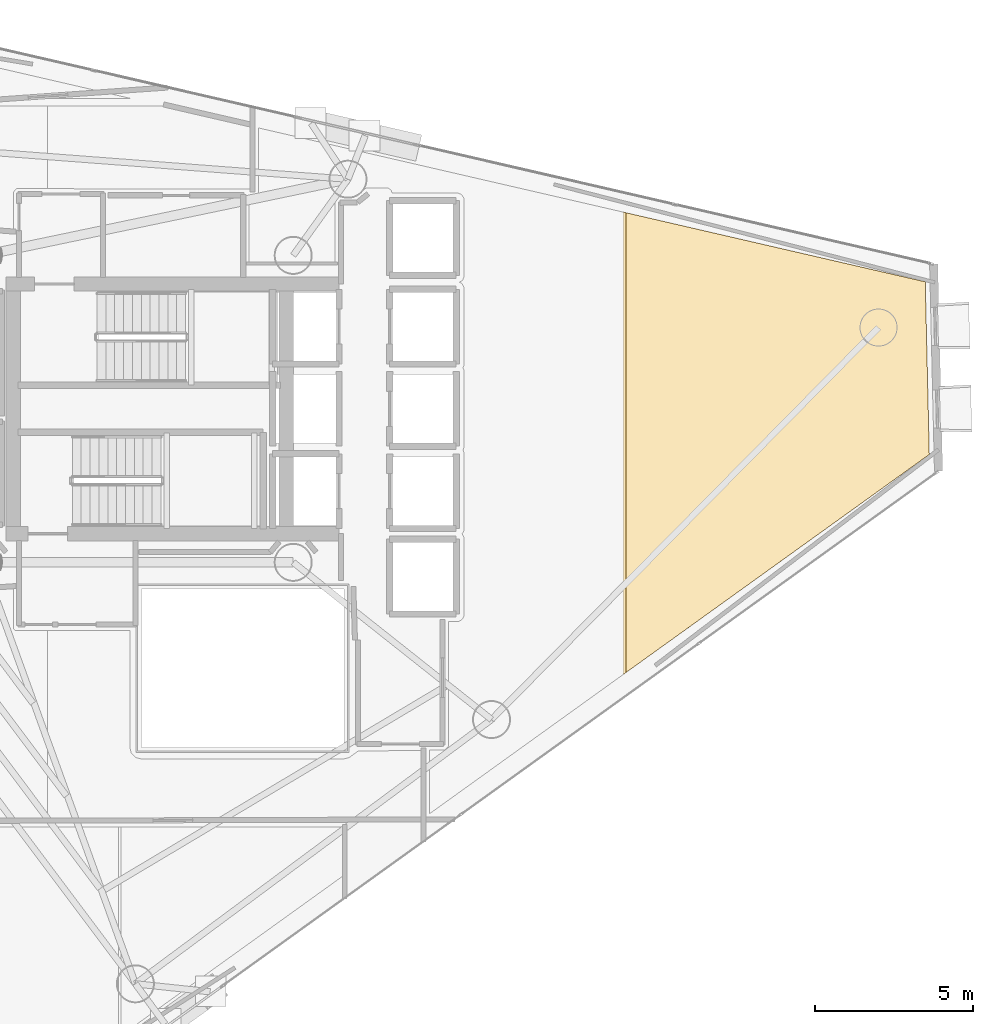
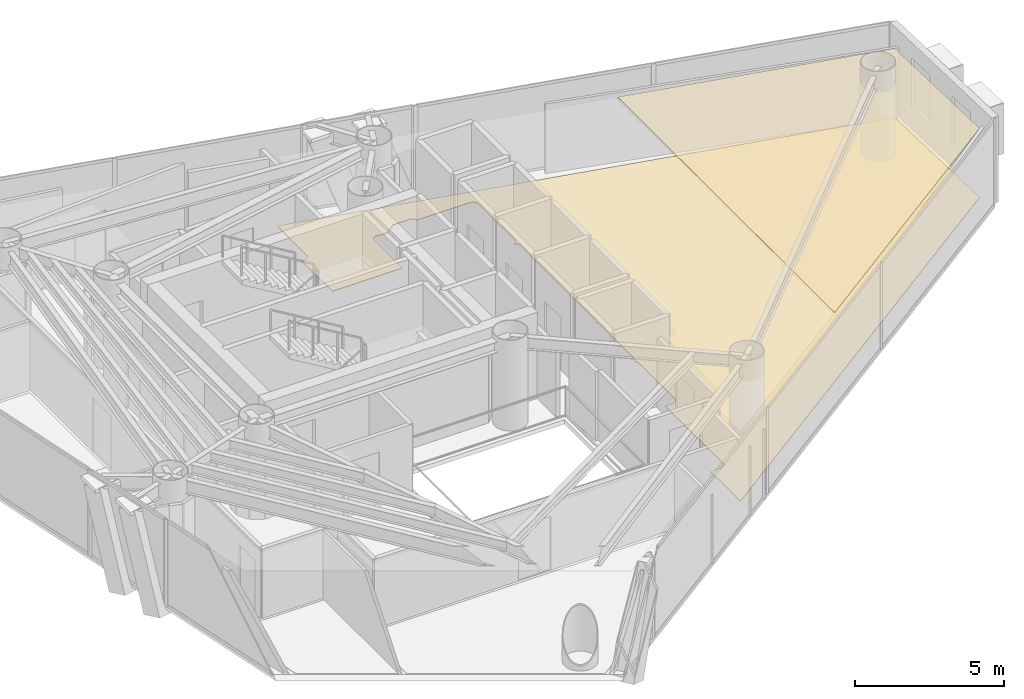
# One storey, part 22 of 22: 2 coverings.
"""IFC4 building model written with IfcOpenShell, lengths in metres."""

from ifc_helpers import new_model, si_unit, direction, frame, origin, place, context, subcontext, project, spatial, polyline, outline, extrude, material, layer, layer_set, type_object, element, save


model = new_model("IFC4")

# Units and contexts
model_context = context("Model", 3, precision=1e-05, world=origin(), true_north=direction((0.0, 1.0)))
body_context = subcontext(model_context, "Body", "Model", "MODEL_VIEW")
ifc_project = project(units=[si_unit("LENGTHUNIT", "METRE"), si_unit("AREAUNIT", "SQUARE_METRE"), si_unit("VOLUMEUNIT", "CUBIC_METRE"), si_unit("PLANEANGLEUNIT", "RADIAN"), si_unit("MASSUNIT", "GRAM", prefix="KILO")], contexts=[model_context])

# Site, building, storey
site_placement = place(None, origin())
site = spatial("IfcSite", under=ifc_project, at=site_placement, CompositionType="ELEMENT")
building_placement = place(site_placement, origin())
building = spatial("IfcBuilding", under=site, at=building_placement, Name="Qianvela Tower", CompositionType="ELEMENT")
storey_placement = place(building_placement, frame((0.0, 0.0, 196.60009765625)))
storey = spatial("IfcBuildingStorey", under=building, at=storey_placement, Name="L50", CompositionType="ELEMENT", Elevation=196.60009765625)

# Coverings
ifc_material_1 = material(Name="Perforated Mineral Acoustic Ceiling Tile")
ifc_layer_1 = layer(ifc_material_1, 0.02490234375)
ifc_layer_set_1 = layer_set([ifc_layer_1], Name="Perforated Mineral Acoustic Ceiling Tile")
covering_type_1 = type_object("IfcCoveringType", Name="COV-CEIL-ACOUSTIC-25", PredefinedType="CEILING", material=ifc_layer_set_1)
covering_1_placement = place(storey_placement, frame((0.0, 0.0, 2.81494140625)))
element("IfcCovering", 1, at=covering_1_placement, inside=storey, type_object=covering_type_1, Name="L50 Acoustic Ceiling Bay 2 Collaborative Co-working Office L50-02", PredefinedType="CEILING", context=body_context, shape_type="SweptSolid", body=[
    extrude(outline(polyline([(58.373779296875, 32.71533203125), (58.5009765625, 27.259033203125), (48.924560546875, 20.37451171875), (48.924560546875, 34.8955078125), (58.373779296875, 32.71533203125)])), origin(), (0.0, 0.0, 1.0), 0.02490234375),
])
ifc_material_2 = material(Name="Engineered Acoustic Oak Timber Flooring", Category="wood")
ifc_layer_2 = layer(ifc_material_2, 0.02001953125)
ifc_layer_set_2 = layer_set([ifc_layer_2], Name="Engineered Acoustic Oak Timber Flooring")
covering_type_2 = type_object("IfcCoveringType", Name="COV-FLOOR-OAK-20", PredefinedType="FLOORING", material=ifc_layer_set_2)
covering_2_placement = place(storey_placement, origin())
element("IfcCovering", 2, at=covering_2_placement, inside=storey, type_object=covering_type_2, Name="L50 Finish Flooring Collaborative Co-working Office L50-02", PredefinedType="FLOORING", context=body_context, shape_type="SweptSolid", body=[
    extrude(outline(polyline([(42.709716796875, 15.906494140625), (42.70751953125, 17.920166015625), (43.157958984375, 17.92041015625), (43.165771484375, 17.9208984375), (43.173583984375, 17.921875), (43.18115234375, 17.923828125), (43.1884765625, 17.926513671875), (43.195556640625, 17.9296875), (43.202392578125, 17.933837890625), (43.20849609375, 17.9384765625), (43.21435546875, 17.94384765625), (43.2861328125, 18.015625), (43.29150390625, 18.021484375), (43.296142578125, 18.027587890625), (43.30029296875, 18.034423828125), (43.303466796875, 18.04150390625), (43.30615234375, 18.048828125), (43.30810546875, 18.056640625), (43.30908203125, 18.064208984375), (43.3095703125, 18.072265625), (43.309326171875, 21.980712890625), (43.60791015625, 21.982666015625), (43.615478515625, 21.983154296875), (43.623291015625, 21.984375), (43.630859375, 21.986083984375), (43.637939453125, 21.98876953125), (43.64501953125, 21.9921875), (43.716796875, 22.030517578125), (43.723388671875, 22.034423828125), (43.729736328125, 22.039306640625), (43.735595703125, 22.04443359375), (43.74072265625, 22.05029296875), (43.74560546875, 22.056640625), (43.74951171875, 22.063232421875), (43.787841796875, 22.135009765625), (43.791259765625, 22.14208984375), (43.7939453125, 22.1494140625), (43.7958984375, 22.156982421875), (43.796875, 22.164794921875), (43.79736328125, 22.172607421875), (43.79931640625, 24.61376953125), (43.799072265625, 24.62060546875), (43.798095703125, 24.627685546875), (43.79638671875, 24.634765625), (43.79443359375, 24.641357421875), (43.79150390625, 24.64794921875), (43.751220703125, 24.733154296875), (43.74755859375, 24.739990234375), (43.743408203125, 24.74658203125), (43.738525390625, 24.752197265625), (43.780517578125, 24.81494140625), (43.784423828125, 24.821533203125), (43.787841796875, 24.82861328125), (43.79052734375, 24.8359375), (43.79248046875, 24.843505859375), (43.793701171875, 24.851318359375), (43.7939453125, 24.859130859375), (43.800048828125, 27.2998046875), (43.799560546875, 27.307861328125), (43.79833984375, 27.315673828125), (43.79638671875, 27.323486328125), (43.793701171875, 27.3310546875), (43.7646484375, 27.39990234375), (43.793701171875, 27.468994140625), (43.79638671875, 27.476318359375), (43.79833984375, 27.484130859375), (43.799560546875, 27.491943359375), (43.800048828125, 27.5), (43.800048828125, 29.89990234375), (43.799560546875, 29.907958984375), (43.79833984375, 29.915771484375), (43.79638671875, 29.923583984375), (43.793701171875, 29.93115234375), (43.7646484375, 30.0), (43.793701171875, 30.06884765625), (43.79638671875, 30.076416015625), (43.79833984375, 30.084228515625), (43.799560546875, 30.092041015625), (43.800048828125, 30.10009765625), (43.79931640625, 32.513671875), (43.798828125, 32.522705078125), (43.79736328125, 32.53125), (43.794921875, 32.539794921875), (43.79150390625, 32.5478515625), (43.751220703125, 32.63330078125), (43.74755859375, 32.64013671875), (43.743408203125, 32.646728515625), (43.73828125, 32.652587890625), (43.732666015625, 32.658203125), (43.726806640625, 32.663330078125), (43.72021484375, 32.66748046875), (43.713134765625, 32.67138671875), (43.646484375, 32.702880859375), (43.722412109375, 32.739013671875), (43.729248046875, 32.74267578125), (43.73583984375, 32.746826171875), (43.741943359375, 32.751953125), (43.74755859375, 32.757568359375), (43.75244140625, 32.763427734375), (43.7568359375, 32.77001953125), (43.760498046875, 32.777099609375), (43.763427734375, 32.7841796875), (43.79541015625, 32.873046875), (43.79736328125, 32.879638671875), (43.798828125, 32.886474609375), (43.7998046875, 32.893310546875), (43.800048828125, 32.900146484375), (43.79736328125, 35.327392578125), (43.796875, 35.3359375), (43.79541015625, 35.344482421875), (43.793212890625, 35.352783203125), (43.7900390625, 35.36083984375), (43.785888671875, 35.368408203125), (43.7373046875, 35.44921875), (43.732666015625, 35.456298828125), (43.727294921875, 35.462890625), (43.72119140625, 35.46875), (43.71435546875, 35.47412109375), (43.70703125, 35.478515625), (43.699462890625, 35.482177734375), (43.624267578125, 35.51318359375), (43.616943359375, 35.515869140625), (43.609375, 35.517822265625), (43.6015625, 35.518798828125), (43.59375, 35.519287109375), (41.515625, 35.52001953125), (41.513916015625, 35.554931640625), (41.512939453125, 35.563232421875), (41.51123046875, 35.5712890625), (41.508544921875, 35.5791015625), (41.50537109375, 35.5869140625), (41.501220703125, 35.593994140625), (41.496337890625, 35.6005859375), (41.49072265625, 35.60693359375), (41.484619140625, 35.612548828125), (41.426513671875, 35.660400390625), (41.419921875, 35.6650390625), (41.413330078125, 35.6689453125), (41.406005859375, 35.67236328125), (41.398681640625, 35.675048828125), (41.39111328125, 35.677001953125), (41.38330078125, 35.677978515625), (41.37548828125, 35.678466796875), (40.726806640625, 35.676513671875), (40.718994140625, 35.67626953125), (40.71142578125, 35.675048828125), (40.7041015625, 35.67333984375), (40.697021484375, 35.670654296875), (40.68994140625, 35.66748046875), (40.683349609375, 35.663818359375), (40.677001953125, 35.6591796875), (40.35986328125, 35.40673828125), (40.129150390625, 35.36083984375), (39.884521484375, 35.402099609375), (39.87646484375, 35.403076171875), (39.8681640625, 35.4033203125), (39.860107421875, 35.402587890625), (39.85205078125, 35.40087890625), (39.84423828125, 35.398681640625), (39.8369140625, 35.3955078125), (39.82958984375, 35.3916015625), (39.822998046875, 35.38720703125), (39.7578125, 35.337890625), (39.75146484375, 35.332763671875), (39.745849609375, 35.326904296875), (39.74072265625, 35.3203125), (39.736328125, 35.3134765625), (39.732666015625, 35.30615234375), (39.729736328125, 35.298583984375), (39.727783203125, 35.29052734375), (39.726318359375, 35.282470703125), (39.72607421875, 35.2744140625), (39.72021484375, 33.342041015625), (37.010009765625, 33.342041015625), (37.010009765625, 35.40087890625), (37.165771484375, 35.401611328125), (37.174072265625, 35.402099609375), (37.18212890625, 35.4033203125), (37.190185546875, 35.405517578125), (37.197998046875, 35.408447265625), (37.205322265625, 35.412109375), (37.21240234375, 35.416748046875), (37.21875, 35.421875), (37.224609375, 35.427734375), (37.288818359375, 35.498291015625), (37.29345703125, 35.50390625), (37.297607421875, 35.510009765625), (37.30126953125, 35.5166015625), (37.30419921875, 35.523193359375), (37.306640625, 35.5302734375), (37.308349609375, 35.53759765625), (37.309326171875, 35.544921875), (37.3095703125, 35.552001953125), (37.31005859375, 37.57568359375), (58.373779296875, 32.71533203125), (58.5009765625, 27.259033203125), (42.709716796875, 15.906494140625)])), origin(), (0.0, 0.0, 1.0), 0.02001953125),
])

save(model, "model.ifc")
